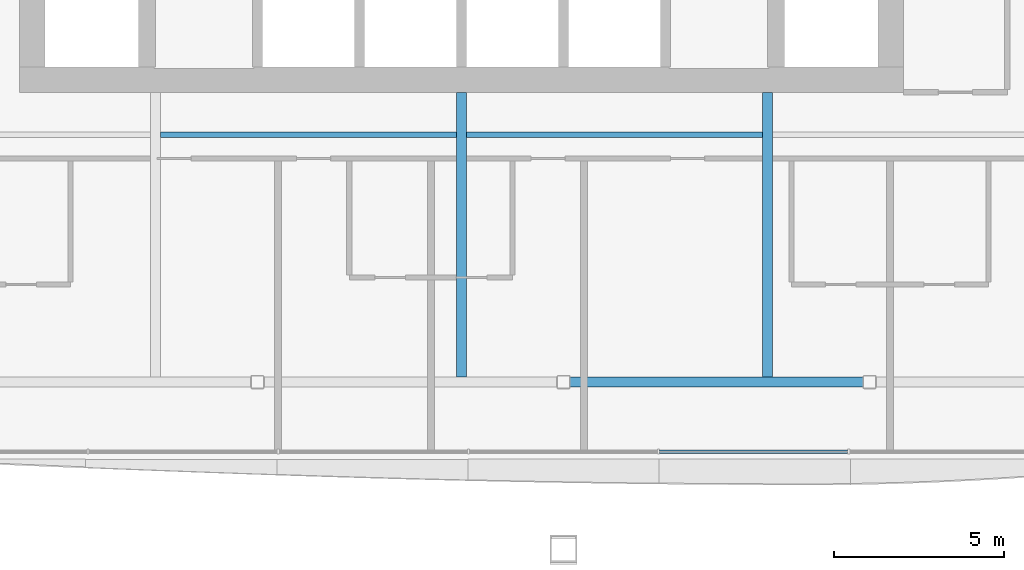
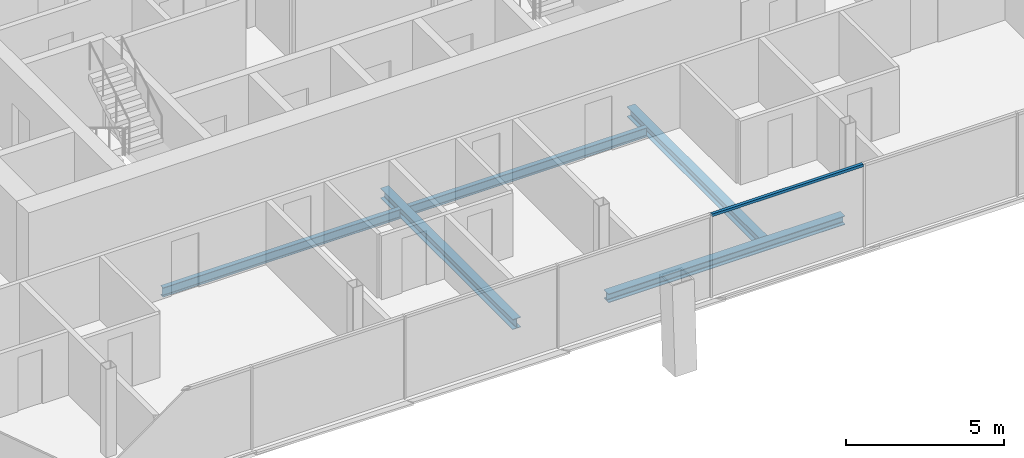
# One storey, part 4 of 21: 5 beams, 1 member, 1 element without a shape of its own.
"""IFC4 building model written with IfcOpenShell, lengths in metres."""

from ifc_helpers import new_model, si_unit, direction, frame, origin, origin_2d, place, context, subcontext, project, spatial, rectangle, i_section, extrude, material, material_profile, profile_set, type_object, element, aggregate, save


model = new_model("IFC4")

# Units and contexts
model_context = context("Model", 3, precision=1e-05, world=origin(), true_north=direction((0.0, 1.0)))
body_context = subcontext(model_context, "Body", "Model", "MODEL_VIEW")
ifc_project = project(units=[si_unit("LENGTHUNIT", "METRE"), si_unit("AREAUNIT", "SQUARE_METRE"), si_unit("VOLUMEUNIT", "CUBIC_METRE"), si_unit("PLANEANGLEUNIT", "RADIAN"), si_unit("MASSUNIT", "GRAM", prefix="KILO")], contexts=[model_context])

# Site, building, storey
site_placement = place(None, origin())
site = spatial("IfcSite", under=ifc_project, at=site_placement, CompositionType="ELEMENT")
building_placement = place(site_placement, origin())
building = spatial("IfcBuilding", under=site, at=building_placement, Name="Tskaro Facet Tower", CompositionType="ELEMENT")
storey_placement = place(building_placement, frame((0.0, 0.0, 135.10009765625)))
storey = spatial("IfcBuildingStorey", under=building, at=storey_placement, Name="L32", CompositionType="ELEMENT", Elevation=135.10009765625)

# Curtain wall, member
ifc_material_1 = material(Name="Bronze anodised aluminium 6063-T6", Category="aluminium")
curtain_wall_type = type_object("IfcCurtainWallType", Name="Bronze hotel curtain wall (FW2)", PredefinedType="NOTDEFINED", material=ifc_material_1)
curtain_wall_placement = place(storey_placement, origin())
curtain_wall = element("IfcCurtainWall", 1, at=curtain_wall_placement, inside=storey, type_object=curtain_wall_type, Name="FW2 south facet L32", PredefinedType="NOTDEFINED")
ifc_material_profile_1 = material_profile(ifc_material_1, rectangle(XDim=0.110107421875, YDim=0.10009765625, at=origin_2d()), Name="Transom 110x100")
ifc_profile_set_1 = profile_set([ifc_material_profile_1], Name="Bronze anodised aluminium 6063-T6")
member_type = type_object("IfcMemberType", Name="FW2 bronze transom 110x100", PredefinedType="USERDEFINED", material=ifc_profile_set_1)
member_placement = place(storey_placement, frame((5.826171875, -22.820068359375, 3.14990234375), z_axis=(1.0, 0.0, 0.0), x_axis=(0.0, 1.0, 0.0)))
member = element("IfcMember", 2, at=member_placement, type_object=member_type, Name="FW2 south transom 5.1", ObjectType="TRANSOM", PredefinedType="USERDEFINED", context=body_context, shape_type="SweptSolid", body=[
    extrude(rectangle(XDim=0.110107421875, YDim=0.10009765625, at=origin_2d()), origin(), (0.0, 0.0, 1.0), 5.53271484375),
])
aggregate(curtain_wall, [member])

# Beams
ifc_material_2 = material(Name="Steel S355J2", Category="steel")
ifc_material_profile_2 = material_profile(ifc_material_2, i_section(OverallWidth=0.300048828125, OverallDepth=0.340087890625, WebThickness=0.011962890625, FlangeThickness=0.021484375, FilletRadius=0.027099609375, at=origin_2d()), Name="HE 340 B")
ifc_profile_set_2 = profile_set([ifc_material_profile_2], Name="Steel S355J2")
beam_type_1 = type_object("IfcBeamType", Name="HE 340 B ring beam", PredefinedType="BEAM", material=ifc_profile_set_2)
beam_placement = place(storey_placement, frame((3.179931640625, -20.77392578125, -0.31005859375), z_axis=(1.0, 0.0, 0.0), x_axis=(0.0, 1.0, 0.0)))
element("IfcBeam", 3, at=beam_placement, inside=storey, type_object=beam_type_1, Name="HE 340 B EB3-3", PredefinedType="BEAM", context=body_context, shape_type="SweptSolid", body=[
    extrude(i_section(OverallWidth=0.300048828125, OverallDepth=0.340087890625, WebThickness=0.011962890625, FlangeThickness=0.021484375, FilletRadius=0.027099609375, at=origin_2d()), origin(), (0.0, 0.0, 1.0), 8.64013671875),
])
ifc_material_profile_3 = material_profile(ifc_material_2, i_section(OverallWidth=0.300048828125, OverallDepth=0.389892578125, WebThickness=0.010986328125, FlangeThickness=0.01904296875, FilletRadius=0.027099609375, at=origin_2d()), Name="HE 400 A")
ifc_profile_set_3 = profile_set([ifc_material_profile_3], Name="Steel S355J2")
beam_type_2 = type_object("IfcBeamType", Name="HE 400 A girder", PredefinedType="BEAM", material=ifc_profile_set_3)
for number, where, z_axis, x_axis, name in (
    (4, (0.0, -20.6240234375, -0.335205078125), (0.0, 1.0, 0.0), (-1.0, 0.0, 0.0), "HE 400 A GB4-1-3"),
    (5, (9.0, -20.6240234375, -0.335205078125), (0.0, 1.0, 0.0), (-1.0, 0.0, 0.0), "HE 400 A GB5-1-3"),
):
    element("IfcBeam", number, at=place(storey_placement, frame(where, z_axis=z_axis, x_axis=x_axis)), inside=storey, type_object=beam_type_2, Name=name, PredefinedType="BEAM", context=body_context, shape_type="SweptSolid", body=[
        extrude(i_section(OverallWidth=0.300048828125, OverallDepth=0.389892578125, WebThickness=0.010986328125, FlangeThickness=0.01904296875, FilletRadius=0.027099609375, at=origin_2d()), origin(), (0.0, 0.0, 1.0), 8.3740234375),
    ])
ifc_material_profile_4 = material_profile(ifc_material_2, i_section(OverallWidth=0.169921875, OverallDepth=0.360107421875, WebThickness=0.008056640625, FlangeThickness=0.0126953125, FilletRadius=0.01806640625, at=origin_2d()), Name="IPE 360")
ifc_profile_set_4 = profile_set([ifc_material_profile_4], Name="Steel S355J2")
beam_type_3 = type_object("IfcBeamType", Name="IPE 360 secondary beam", PredefinedType="BEAM", material=ifc_profile_set_4)
for number, where, z_axis, x_axis, name in (
    (6, (-8.85009765625, -13.5, -0.320068359375), (1.0, 0.0, 0.0), (0.0, 1.0, 0.0), "IPE 360 SB2a-2-3"),
    (7, (0.14990234375, -13.5, -0.320068359375), (1.0, 0.0, 0.0), (0.0, 1.0, 0.0), "IPE 360 SB2a-3-3"),
):
    element("IfcBeam", number, at=place(storey_placement, frame(where, z_axis=z_axis, x_axis=x_axis)), inside=storey, type_object=beam_type_3, Name=name, PredefinedType="BEAM", context=body_context, shape_type="SweptSolid", body=[
        extrude(i_section(OverallWidth=0.169921875, OverallDepth=0.360107421875, WebThickness=0.008056640625, FlangeThickness=0.0126953125, FilletRadius=0.01806640625, at=origin_2d()), origin(), (0.0, 0.0, 1.0), 8.7001953125),
    ])

save(model, "model.ifc")
